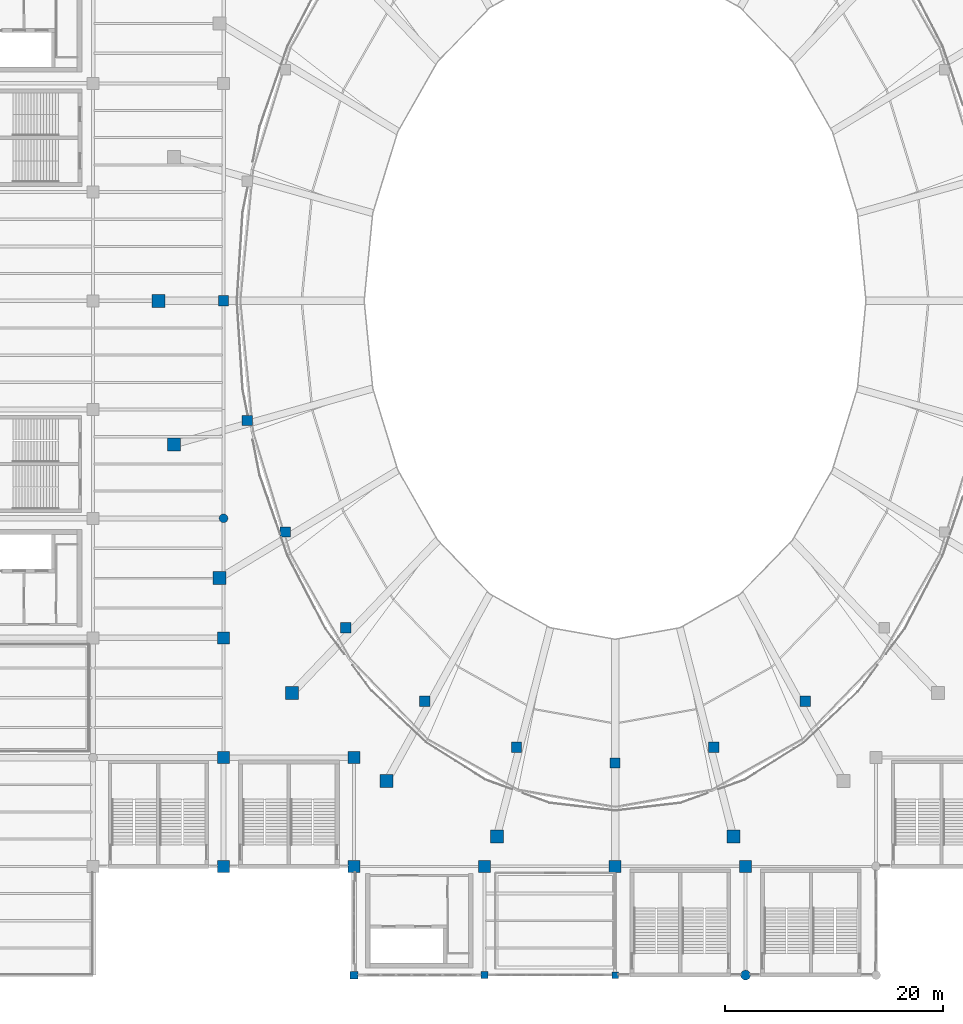
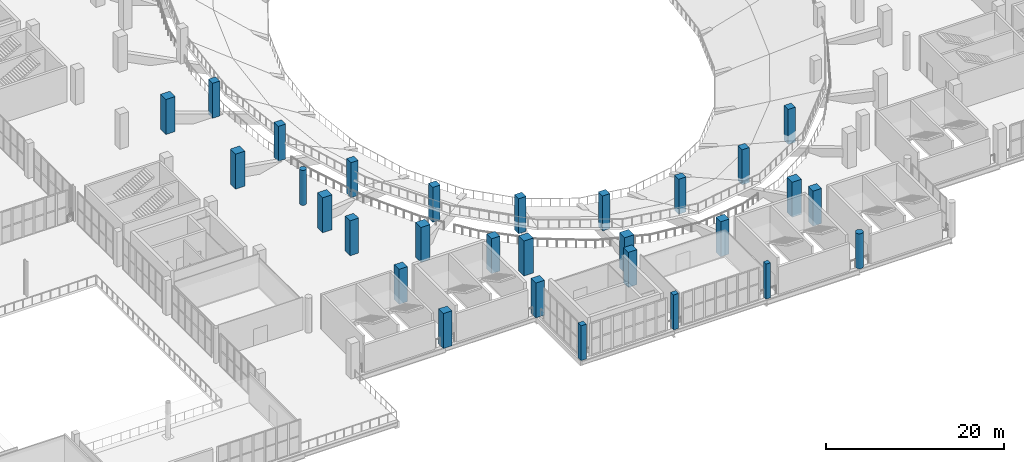
# One storey, part 5 of 136: 29 columns.
"""IFC4 building model written with IfcOpenShell, lengths in metres."""

from ifc_helpers import new_model, si_unit, direction, frame, origin, origin_2d, place, context, subcontext, project, spatial, rectangle, circle, extrude, material, material_profile, profile_set, type_object, element, save


model = new_model("IFC4")

# Units and contexts
model_context = context("Model", 3, precision=1e-05, world=origin(), true_north=direction((0.0, 1.0)))
body_context = subcontext(model_context, "Body", "Model", "MODEL_VIEW")
ifc_project = project(units=[si_unit("LENGTHUNIT", "METRE"), si_unit("AREAUNIT", "SQUARE_METRE"), si_unit("VOLUMEUNIT", "CUBIC_METRE"), si_unit("PLANEANGLEUNIT", "RADIAN"), si_unit("MASSUNIT", "GRAM", prefix="KILO")], contexts=[model_context])

# Site, building, storey
site_placement = place(None, origin())
site = spatial("IfcSite", under=ifc_project, at=site_placement, CompositionType="ELEMENT")
building_placement = place(site_placement, origin())
building = spatial("IfcBuilding", under=site, at=building_placement, Name="Brinegate Civic Arena", CompositionType="ELEMENT")
storey_placement = place(building_placement, frame((0.0, 0.0, 5.39990234375)))
storey = spatial("IfcBuildingStorey", under=building, at=storey_placement, Name="L01", CompositionType="ELEMENT", Elevation=5.39990234375)

# Columns
ifc_material = material(Name="Concrete C50/60", Category="concrete")
ifc_material_profile_1 = material_profile(ifc_material, rectangle(XDim=1.199951171875, YDim=1.199951171875, at=origin_2d()), Name="RC1200X1200")
ifc_profile_set_1 = profile_set([ifc_material_profile_1], Name="Concrete C50/60")
column_type_1 = type_object("IfcColumnType", Name="COL-CC01-1200", PredefinedType="COLUMN", material=ifc_profile_set_1)
for number, where, z_axis, x_axis, name in (
    (1, (66.0, 62.0, 0.0), (0.0, 0.0, 1.0), (1.0, 0.0, 0.0), "Bowl Raker Column OUT-13-L01"),
    (2, (67.430908203125, 48.800048828125, 0.0), (0.0, 0.0, 1.0), (1.0, 0.0, 0.0), "Bowl Raker Column OUT-14-L01"),
    (3, (71.626953125, 36.5, 0.0), (0.0, 0.0, 1.0), (1.0, 0.0, 0.0), "Bowl Raker Column OUT-15-L01"),
    (4, (78.302001953125, 25.93798828125, 0.0), (0.0, 0.0, 1.0), (1.0, 0.0, 0.0), "Bowl Raker Column OUT-16-L01"),
    (5, (87.0, 17.8330078125, 0.0), (0.0, 0.0, 1.0), (1.0, 0.0, 0.0), "Bowl Raker Column OUT-17-L01"),
    (6, (97.1298828125, 12.738037109375, 0.0), (0.0, 0.0, 1.0), (1.0, 0.0, 0.0), "Bowl Raker Column OUT-18-L01"),
    (7, (118.8701171875, 12.738037109375, 0.0), (0.0, 0.0, 1.0), (1.0, 0.0, 0.0), "Bowl Raker Column OUT-20-L01"),
):
    element("IfcColumn", number, at=place(storey_placement, frame(where, z_axis=z_axis, x_axis=x_axis)), inside=storey, type_object=column_type_1, Name=name, PredefinedType="COLUMN", context=body_context, shape_type="SweptSolid", body=[
        extrude(rectangle(XDim=1.199951171875, YDim=1.199951171875, at=origin_2d()), origin(), (0.0, 0.0, 1.0), 4.800048828125),
    ])
ifc_material_profile_2 = material_profile(ifc_material, rectangle(XDim=1.10009765625, YDim=1.10009765625, at=origin_2d()), Name="RC1100X1100")
ifc_profile_set_2 = profile_set([ifc_material_profile_2], Name="Concrete C50/60")
column_type_2 = type_object("IfcColumnType", Name="COL-CC02-1100", PredefinedType="COLUMN", material=ifc_profile_set_2)
for number, where, z_axis, x_axis, name in (
    (8, (72.0, 10.0, 0.0), (0.0, 0.0, 1.0), (1.0, 0.0, 0.0), "Column COL-L01-7-B"),
    (9, (72.0, 20.0, 0.0), (0.0, 0.0, 1.0), (1.0, 0.0, 0.0), "Column COL-L01-7-C"),
    (10, (72.0, 31.0, 0.0), (0.0, 0.0, 1.0), (1.0, 0.0, 0.0), "Column COL-L01-7-D"),
    (11, (84.0, 10.0, 0.0), (0.0, 0.0, 1.0), (1.0, 0.0, 0.0), "Column COL-L01-8-B"),
    (12, (84.0, 20.0, 0.0), (0.0, 0.0, 1.0), (1.0, 0.0, 0.0), "Column COL-L01-8-C"),
    (13, (96.0, 10.0, 0.0), (0.0, 0.0, 1.0), (1.0, 0.0, 0.0), "Column COL-L01-9-B"),
    (14, (108.0, 10.0, 0.0), (0.0, 0.0, 1.0), (1.0, 0.0, 0.0), "Column COL-L01-10-B"),
    (15, (120.0, 10.0, 0.0), (0.0, 0.0, 1.0), (1.0, 0.0, 0.0), "Column COL-L01-11-B"),
):
    element("IfcColumn", number, at=place(storey_placement, frame(where, z_axis=z_axis, x_axis=x_axis)), inside=storey, type_object=column_type_2, Name=name, PredefinedType="COLUMN", context=body_context, shape_type="SweptSolid", body=[
        extrude(rectangle(XDim=1.10009765625, YDim=1.10009765625, at=origin_2d()), origin(), (0.0, 0.0, 1.0), 4.800048828125),
    ])
ifc_material_profile_3 = material_profile(ifc_material, rectangle(XDim=0.949951171875, YDim=0.949951171875, at=origin_2d()), Name="RC950X950")
ifc_profile_set_3 = profile_set([ifc_material_profile_3], Name="Concrete C50/60")
column_type_3 = type_object("IfcColumnType", Name="COL-CC04-950", PredefinedType="COLUMN", material=ifc_profile_set_3)
for number, where, z_axis, x_axis, name in (
    (16, (72.0, 62.0, 0.0), (0.0, 0.0, 1.0), (1.0, 0.0, 0.0), "Upper Raker Inner Column UIN-13-L01"),
    (17, (74.193115234375, 51.0, 0.0), (0.0, 0.0, 1.0), (1.0, 0.0, 0.0), "Upper Raker Inner Column UIN-14-L01"),
    (18, (77.68896484375, 40.75, 0.0), (0.0, 0.0, 1.0), (1.0, 0.0, 0.0), "Upper Raker Inner Column UIN-15-L01"),
    (19, (83.2509765625, 31.947998046875, 0.0), (0.0, 0.0, 1.0), (1.0, 0.0, 0.0), "Upper Raker Inner Column UIN-16-L01"),
    (20, (90.5, 25.194091796875, 0.0), (0.0, 0.0, 1.0), (1.0, 0.0, 0.0), "Upper Raker Inner Column UIN-17-L01"),
    (21, (98.94091796875, 20.947998046875, 0.0), (0.0, 0.0, 1.0), (1.0, 0.0, 0.0), "Upper Raker Inner Column UIN-18-L01"),
    (22, (108.0, 19.5, 0.0), (0.0, 0.0, 1.0), (1.0, 0.0, 0.0), "Upper Raker Inner Column UIN-19-L01"),
    (23, (117.05908203125, 20.947998046875, 0.0), (0.0, 0.0, 1.0), (1.0, 0.0, 0.0), "Upper Raker Inner Column UIN-20-L01"),
    (24, (125.5, 25.194091796875, 0.0), (0.0, 0.0, 1.0), (1.0, 0.0, 0.0), "Upper Raker Inner Column UIN-21-L01"),
):
    element("IfcColumn", number, at=place(storey_placement, frame(where, z_axis=z_axis, x_axis=x_axis)), inside=storey, type_object=column_type_3, Name=name, PredefinedType="COLUMN", context=body_context, shape_type="SweptSolid", body=[
        extrude(rectangle(XDim=0.949951171875, YDim=0.949951171875, at=origin_2d()), origin(), (0.0, 0.0, 1.0), 4.800048828125),
    ])
ifc_material_profile_4 = material_profile(ifc_material, rectangle(XDim=0.699951171875, YDim=0.699951171875, at=origin_2d()), Name="RC700X700")
ifc_profile_set_4 = profile_set([ifc_material_profile_4], Name="Concrete C50/60")
column_type_4 = type_object("IfcColumnType", Name="COL-CC09-700", PredefinedType="COLUMN", material=ifc_profile_set_4)
column_1_placement = place(storey_placement, frame((84.0, 0.0, 0.0), z_axis=(0.0, 0.0, 1.0), x_axis=(1.0, 0.0, 0.0)))
element("IfcColumn", 25, at=column_1_placement, inside=storey, type_object=column_type_4, Name="Column COL-L01-8-A", PredefinedType="COLUMN", context=body_context, shape_type="SweptSolid", body=[
    extrude(rectangle(XDim=0.699951171875, YDim=0.699951171875, at=origin_2d()), origin(), (0.0, 0.0, 1.0), 4.800048828125),
])
ifc_material_profile_5 = material_profile(ifc_material, rectangle(XDim=0.64990234375, YDim=0.64990234375, at=origin_2d()), Name="RC650X650")
ifc_profile_set_5 = profile_set([ifc_material_profile_5], Name="Concrete C50/60")
column_type_5 = type_object("IfcColumnType", Name="COL-CC10-650", PredefinedType="COLUMN", material=ifc_profile_set_5)
column_2_placement = place(storey_placement, frame((96.0, 0.0, 0.0), z_axis=(0.0, 0.0, 1.0), x_axis=(1.0, 0.0, 0.0)))
element("IfcColumn", 26, at=column_2_placement, inside=storey, type_object=column_type_5, Name="Column COL-L01-9-A", PredefinedType="COLUMN", context=body_context, shape_type="SweptSolid", body=[
    extrude(rectangle(XDim=0.64990234375, YDim=0.64990234375, at=origin_2d()), origin(), (0.0, 0.0, 1.0), 4.800048828125),
])
ifc_material_profile_6 = material_profile(ifc_material, rectangle(XDim=0.60009765625, YDim=0.60009765625, at=origin_2d()), Name="RC600X600")
ifc_profile_set_6 = profile_set([ifc_material_profile_6], Name="Concrete C50/60")
column_type_6 = type_object("IfcColumnType", Name="COL-CC11-600", PredefinedType="COLUMN", material=ifc_profile_set_6)
column_3_placement = place(storey_placement, frame((108.0, 0.0, 0.0), z_axis=(0.0, 0.0, 1.0), x_axis=(1.0, 0.0, 0.0)))
element("IfcColumn", 27, at=column_3_placement, inside=storey, type_object=column_type_6, Name="Column COL-L01-10-A", PredefinedType="COLUMN", context=body_context, shape_type="SweptSolid", body=[
    extrude(rectangle(XDim=0.60009765625, YDim=0.60009765625, at=origin_2d()), origin(), (0.0, 0.0, 1.0), 4.800048828125),
])
ifc_material_profile_7 = material_profile(ifc_material, circle(Radius=0.449951171875, at=origin_2d()), Name="RCD900")
ifc_profile_set_7 = profile_set([ifc_material_profile_7], Name="Concrete C50/60")
column_type_7 = type_object("IfcColumnType", Name="COL-CC12-D900", PredefinedType="COLUMN", material=ifc_profile_set_7)
column_4_placement = place(storey_placement, frame((120.0, 0.0, 0.0), z_axis=(0.0, 0.0, 1.0), x_axis=(1.0, 0.0, 0.0)))
element("IfcColumn", 28, at=column_4_placement, inside=storey, type_object=column_type_7, Name="Column COL-L01-11-A", PredefinedType="COLUMN", context=body_context, shape_type="SweptSolid", body=[
    extrude(circle(Radius=0.449951171875, at=origin_2d()), origin(), (0.0, 0.0, 1.0), 4.800048828125),
])
ifc_material_profile_8 = material_profile(ifc_material, circle(Radius=0.39990234375, at=origin_2d()), Name="RCD800")
ifc_profile_set_8 = profile_set([ifc_material_profile_8], Name="Concrete C50/60")
column_type_8 = type_object("IfcColumnType", Name="COL-CC13-D800", PredefinedType="COLUMN", material=ifc_profile_set_8)
column_5_placement = place(storey_placement, frame((72.0, 42.0, 0.0), z_axis=(0.0, 0.0, 1.0), x_axis=(1.0, 0.0, 0.0)))
element("IfcColumn", 29, at=column_5_placement, inside=storey, type_object=column_type_8, Name="Column COL-L01-7-E", PredefinedType="COLUMN", context=body_context, shape_type="SweptSolid", body=[
    extrude(circle(Radius=0.39990234375, at=origin_2d()), origin(), (0.0, 0.0, 1.0), 4.800048828125),
])

save(model, "model.ifc")
